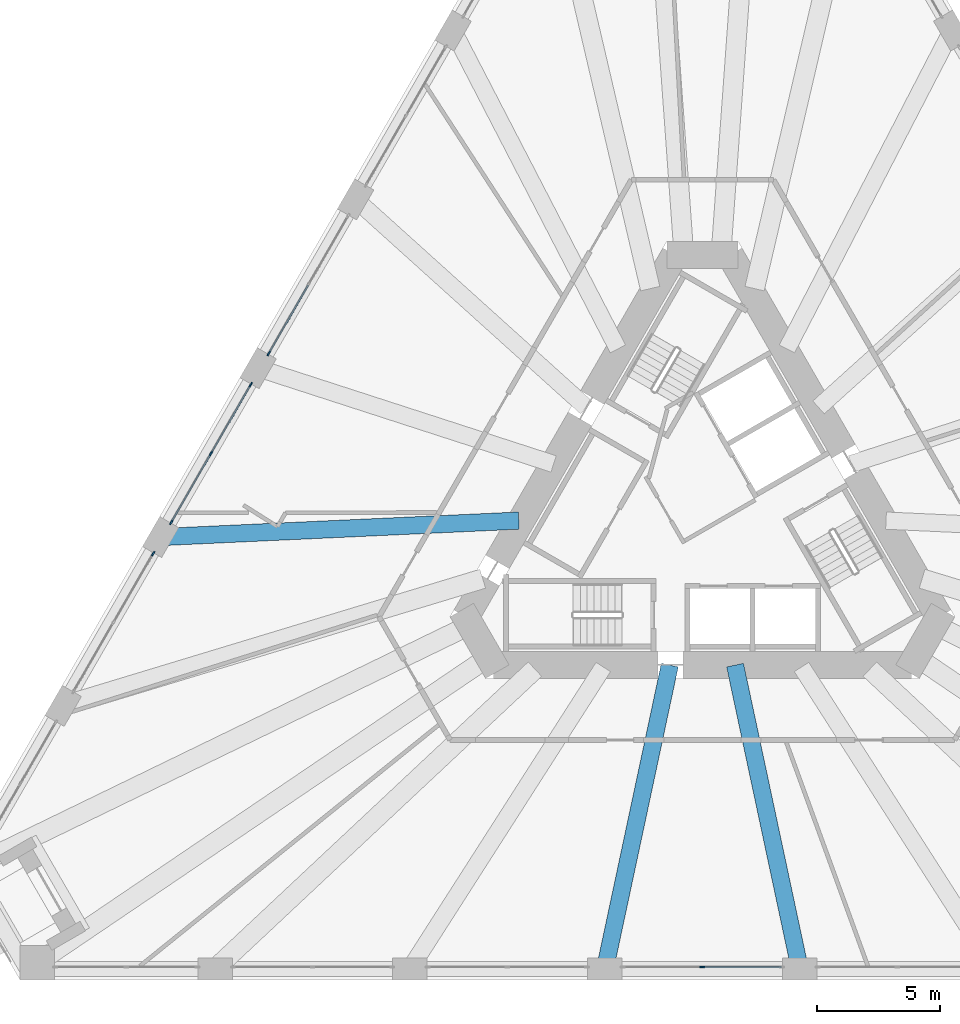
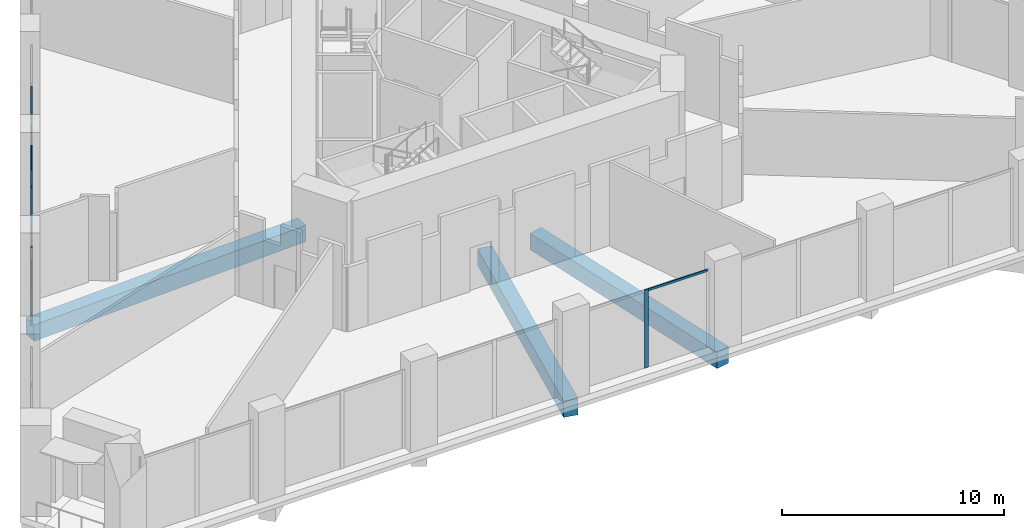
# One storey, part 4 of 20: 10 members, 3 beams, 4 elements without a shape of their own.
"""IFC4 building model written with IfcOpenShell, lengths in metres."""

from ifc_helpers import new_model, si_unit, direction, frame, origin, origin_2d, place, context, subcontext, project, spatial, rectangle, extrude, material, layer, layer_set, material_profile, profile_set, type_object, element, aggregate, save


model = new_model("IFC4")

# Units and contexts
model_context = context("Model", 3, precision=1e-05, world=origin(), true_north=direction((0.0, 1.0)))
body_context = subcontext(model_context, "Body", "Model", "MODEL_VIEW")
ifc_project = project(units=[si_unit("LENGTHUNIT", "METRE"), si_unit("AREAUNIT", "SQUARE_METRE"), si_unit("VOLUMEUNIT", "CUBIC_METRE"), si_unit("PLANEANGLEUNIT", "RADIAN"), si_unit("MASSUNIT", "GRAM", prefix="KILO")], contexts=[model_context])

# Site, building, storey
site_placement = place(None, origin())
site = spatial("IfcSite", under=ifc_project, at=site_placement, CompositionType="ELEMENT")
building_placement = place(site_placement, origin())
building = spatial("IfcBuilding", under=site, at=building_placement, Name="Tramontana Tower", CompositionType="ELEMENT")
storey_placement = place(building_placement, frame((0.0, 0.0, 10.0)))
storey = spatial("IfcBuildingStorey", under=building, at=storey_placement, Name="L01", CompositionType="ELEMENT", Elevation=10.0)

# Curtain wall, member
ifc_material_1 = material(Name="Aluminum extrusion", Category="aluminium")
ifc_layer = layer(ifc_material_1, 0.14990234375)
ifc_layer_set = layer_set([ifc_layer], Name="CW2 Podium amenity curtain wall")
curtain_wall_type = type_object("IfcCurtainWallType", Name="CW2 Podium amenity curtain wall", PredefinedType="NOTDEFINED", material=ifc_layer_set)
curtain_wall_1_placement = place(storey_placement, origin())
curtain_wall_1 = element("IfcCurtainWall", 1, at=curtain_wall_1_placement, inside=storey, type_object=curtain_wall_type, Name="CW2 curtain wall L01 face 0 bay 4", PredefinedType="NOTDEFINED")
ifc_material_2 = material(Name="Aluminum extrusion", Category="aluminium")
ifc_material_profile_1 = material_profile(ifc_material_2, rectangle(XDim=0.06005859375, YDim=0.199951171875, at=origin_2d()), Name="CW2-M Mullion 60 x 200")
ifc_profile_set_1 = profile_set([ifc_material_profile_1], Name="Aluminum extrusion")
member_type_1 = type_object("IfcMemberType", Name="CW2-M Mullion 60 x 200", PredefinedType="MULLION", material=ifc_profile_set_1)
member_1_placement = place(storey_placement, frame((-17.6142578125, 6.441162109375, 0.0), z_axis=(0.0, 0.0, 1.0), x_axis=(0.866025403784, -0.5, 0.0)))
member_1 = element("IfcMember", 2, at=member_1_placement, type_object=member_type_1, Name="CW2 curtain wall L01 face 0 bay 4 mullion 3", PredefinedType="MULLION", context=body_context, shape_type="SweptSolid", body=[
    extrude(rectangle(XDim=0.06005859375, YDim=0.199951171875, at=origin_2d()), origin(), (0.0, 0.0, 1.0), 4.300048828125),
])

# Curtain wall, members
curtain_wall_2_placement = place(storey_placement, origin())
curtain_wall_2 = element("IfcCurtainWall", 3, at=curtain_wall_2_placement, inside=storey, type_object=curtain_wall_type, Name="CW2 curtain wall L01 face 0 bay 5", PredefinedType="NOTDEFINED")
member_2_placement = place(storey_placement, frame((-18.34423828125, 5.1767578125, 0.0), z_axis=(0.0, 0.0, 1.0), x_axis=(0.866025403784, -0.5, 0.0)))
member_2 = element("IfcMember", 4, at=member_2_placement, type_object=member_type_1, Name="CW2 curtain wall L01 face 0 bay 5 mullion 1", PredefinedType="MULLION", context=body_context, shape_type="SweptSolid", body=[
    extrude(rectangle(XDim=0.06005859375, YDim=0.199951171875, at=origin_2d()), origin(), (0.0, 0.0, 1.0), 4.300048828125),
])
member_3_placement = place(storey_placement, frame((-19.958740234375, 2.38037109375, 0.0), z_axis=(0.0, 0.0, 1.0), x_axis=(0.866025403784, -0.5, 0.0)))
member_3 = element("IfcMember", 5, at=member_3_placement, type_object=member_type_1, Name="CW2 curtain wall L01 face 0 bay 5 mullion 2", PredefinedType="MULLION", context=body_context, shape_type="SweptSolid", body=[
    extrude(rectangle(XDim=0.06005859375, YDim=0.199951171875, at=origin_2d()), origin(), (0.0, 0.0, 1.0), 4.300048828125),
])
member_4_placement = place(storey_placement, frame((-21.5732421875, -0.416015625, 0.0), z_axis=(0.0, 0.0, 1.0), x_axis=(0.866025403784, -0.5, 0.0)))
member_4 = element("IfcMember", 6, at=member_4_placement, type_object=member_type_1, Name="CW2 curtain wall L01 face 0 bay 5 mullion 3", PredefinedType="MULLION", context=body_context, shape_type="SweptSolid", body=[
    extrude(rectangle(XDim=0.06005859375, YDim=0.199951171875, at=origin_2d()), origin(), (0.0, 0.0, 1.0), 4.300048828125),
])

# Curtain wall, member
curtain_wall_3_placement = place(storey_placement, origin())
curtain_wall_3 = element("IfcCurtainWall", 7, at=curtain_wall_3_placement, inside=storey, type_object=curtain_wall_type, Name="CW2 curtain wall L01 face 0 bay 6", PredefinedType="NOTDEFINED")
member_5_placement = place(storey_placement, frame((-22.30322265625, -1.680419921875, 0.0), z_axis=(0.0, 0.0, 1.0), x_axis=(0.866025403784, -0.5, 0.0)))
member_5 = element("IfcMember", 8, at=member_5_placement, type_object=member_type_1, Name="CW2 curtain wall L01 face 0 bay 6 mullion 1", PredefinedType="MULLION", context=body_context, shape_type="SweptSolid", body=[
    extrude(rectangle(XDim=0.06005859375, YDim=0.199951171875, at=origin_2d()), origin(), (0.0, 0.0, 1.0), 4.300048828125),
])
aggregate(curtain_wall_3, [member_5])

curtain_wall_4_placement = place(storey_placement, origin())
curtain_wall_4 = element("IfcCurtainWall", 9, at=curtain_wall_4_placement, inside=storey, type_object=curtain_wall_type, Name="CW2 curtain wall L01 face 1 bay 4", PredefinedType="NOTDEFINED")
member_6_placement = place(storey_placement, frame((0.0, -18.47509765625, 0.0), z_axis=(0.0, 0.0, 1.0), x_axis=(0.0, 1.0, 0.0)))
member_6 = element("IfcMember", 10, at=member_6_placement, type_object=member_type_1, Name="CW2 curtain wall L01 face 1 bay 4 mullion 2", PredefinedType="MULLION", context=body_context, shape_type="SweptSolid", body=[
    extrude(rectangle(XDim=0.06005859375, YDim=0.199951171875, at=origin_2d()), origin(), (0.0, 0.0, 1.0), 4.300048828125),
])

# Member
ifc_material_3 = material(Name="Aluminum extrusion", Category="aluminium")
ifc_material_profile_2 = material_profile(ifc_material_3, rectangle(XDim=0.06005859375, YDim=0.1201171875, at=origin_2d()), Name="CW2-T Transom 60 x 120")
ifc_profile_set_2 = profile_set([ifc_material_profile_2], Name="Aluminum extrusion")
member_type_2 = type_object("IfcMemberType", Name="CW2-T Transom 60 x 120", PredefinedType="USERDEFINED", material=ifc_profile_set_2)
member_7_placement = place(storey_placement, frame((-16.014892578125, 9.21142578125, 4.239990234375), z_axis=(-0.500000324964, -0.866025216166, 0.0), x_axis=(0.866025216166, -0.500000324964, 0.0)))
member_7 = element("IfcMember", 11, at=member_7_placement, type_object=member_type_2, Name="CW2 curtain wall L01 face 0 bay 4 transom 2.1", ObjectType="TRANSOM", PredefinedType="USERDEFINED", context=body_context, shape_type="SweptSolid", body=[
    extrude(rectangle(XDim=0.06005859375, YDim=0.1201171875, at=origin_2d()), origin(), (0.0, 0.0, 1.0), 3.1689453125),
])

aggregate(curtain_wall_1, [member_1, member_7])

member_8_placement = place(storey_placement, frame((-18.359375, 5.150634765625, 4.239990234375), z_axis=(-0.500000324964, -0.866025216166, 0.0), x_axis=(0.866025216166, -0.500000324964, 0.0)))
member_8 = element("IfcMember", 12, at=member_8_placement, type_object=member_type_2, Name="CW2 curtain wall L01 face 0 bay 5 transom 1.1", ObjectType="TRANSOM", PredefinedType="USERDEFINED", context=body_context, shape_type="SweptSolid", body=[
    extrude(rectangle(XDim=0.06005859375, YDim=0.1201171875, at=origin_2d()), origin(), (0.0, 0.0, 1.0), 3.1689453125),
])

member_9_placement = place(storey_placement, frame((-19.973876953125, 2.3544921875, 4.239990234375), z_axis=(-0.49996696679, -0.866044474677, 0.0), x_axis=(0.866044474677, -0.49996696679, 0.0)))
member_9 = element("IfcMember", 13, at=member_9_placement, type_object=member_type_2, Name="CW2 curtain wall L01 face 0 bay 5 transom 2.1", ObjectType="TRANSOM", PredefinedType="USERDEFINED", context=body_context, shape_type="SweptSolid", body=[
    extrude(rectangle(XDim=0.06005859375, YDim=0.1201171875, at=origin_2d()), origin(), (0.0, 0.0, 1.0), 3.169189453125),
])

aggregate(curtain_wall_2, [member_2, member_3, member_4, member_8, member_9])

member_10_placement = place(storey_placement, frame((0.030029296875, -18.47509765625, 4.239990234375), z_axis=(1.0, 0.0, 0.0), x_axis=(0.0, 1.0, 0.0)))
member_10 = element("IfcMember", 14, at=member_10_placement, type_object=member_type_2, Name="CW2 curtain wall L01 face 1 bay 4 transom 2.1", ObjectType="TRANSOM", PredefinedType="USERDEFINED", context=body_context, shape_type="SweptSolid", body=[
    extrude(rectangle(XDim=0.06005859375, YDim=0.1201171875, at=origin_2d()), origin(), (0.0, 0.0, 1.0), 3.1689453125),
])

aggregate(curtain_wall_4, [member_6, member_10])

# Beams
ifc_material_4 = material(Name="Concrete 40 MPa", Category="concrete")
ifc_material_profile_3 = material_profile(ifc_material_4, rectangle(XDim=0.699951171875, YDim=0.89990234375, at=origin_2d()), Name="RC GIRDER 700X900 40 MPa")
ifc_profile_set_3 = profile_set([ifc_material_profile_3], Name="Concrete 40 MPa")
beam_type = type_object("IfcBeamType", Name="RC GIRDER 700X900 40 MPa", PredefinedType="BEAM", material=ifc_profile_set_3)
beam_placement = place(storey_placement, frame((-22.003173828125, -1.0107421875, -0.800048828125), z_axis=(0.998946541736, 0.045889070085, 0.0), x_axis=(-0.045889070085, 0.998946541736, 0.0)))
element("IfcBeam", 15, at=beam_placement, inside=storey, type_object=beam_type, Name="Radial girder C0F05 L01", PredefinedType="BEAM", context=body_context, shape_type="SweptSolid", body=[
    extrude(rectangle(XDim=0.699951171875, YDim=0.89990234375, at=origin_2d()), origin(), (0.0, 0.0, 1.0), 14.5615234375),
])
for number, where, z_axis, x_axis, name in (
    (16, (-3.958984375, -18.550048828125, -0.800048828125), (0.208730772127, 0.977973141128, 0.0), (-0.977973141128, 0.208730772127, 0.0), "Radial girder C0F09 L01"),
    (17, (3.958984375, -18.550048828125, -0.800048828125), (-0.208730772127, 0.977973141128, 0.0), (-0.977973141128, -0.208730772127, 0.0), "Radial girder C0F10 L01"),
):
    element("IfcBeam", number, at=place(storey_placement, frame(where, z_axis=z_axis, x_axis=x_axis)), inside=storey, type_object=beam_type, Name=name, PredefinedType="BEAM", context=body_context, shape_type="SweptSolid", body=[
        extrude(rectangle(XDim=0.699951171875, YDim=0.89990234375, at=origin_2d()), origin(), (0.0, 0.0, 1.0), 12.61572265625),
    ])

save(model, "model.ifc")
